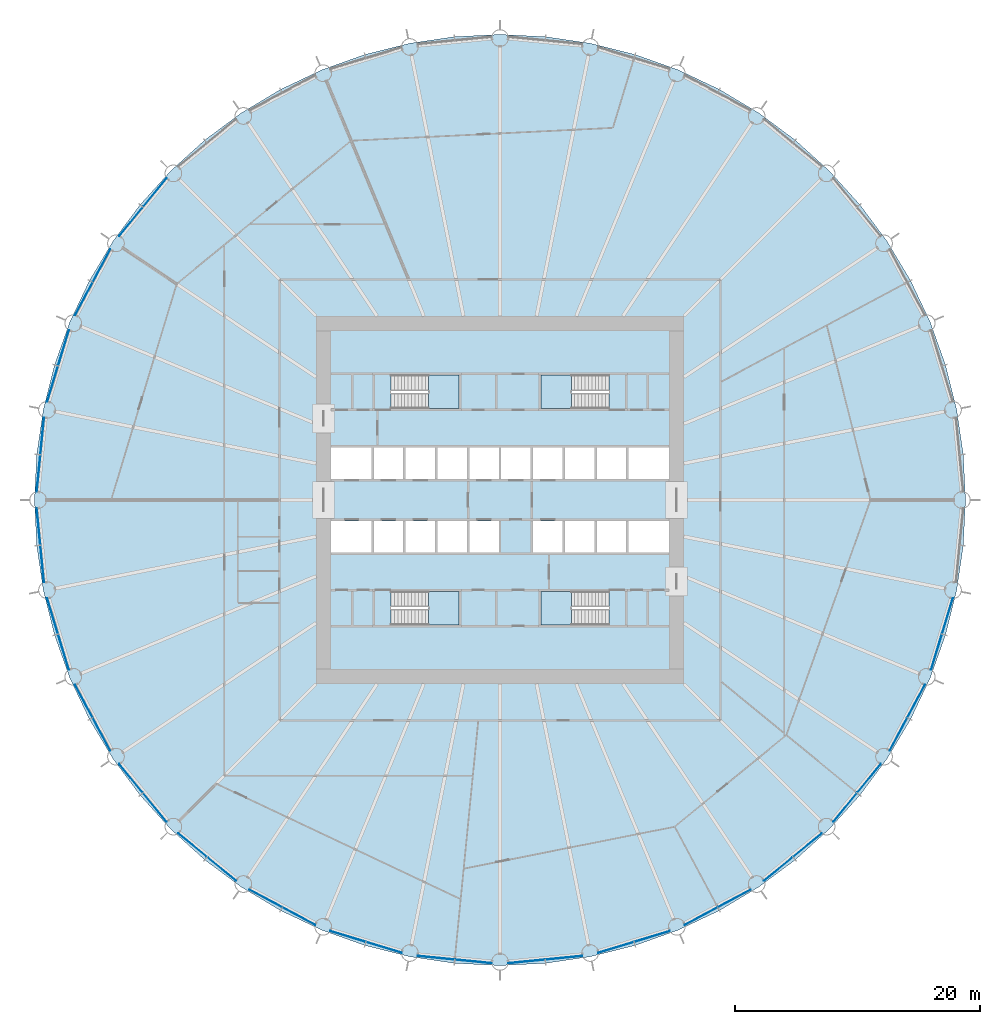
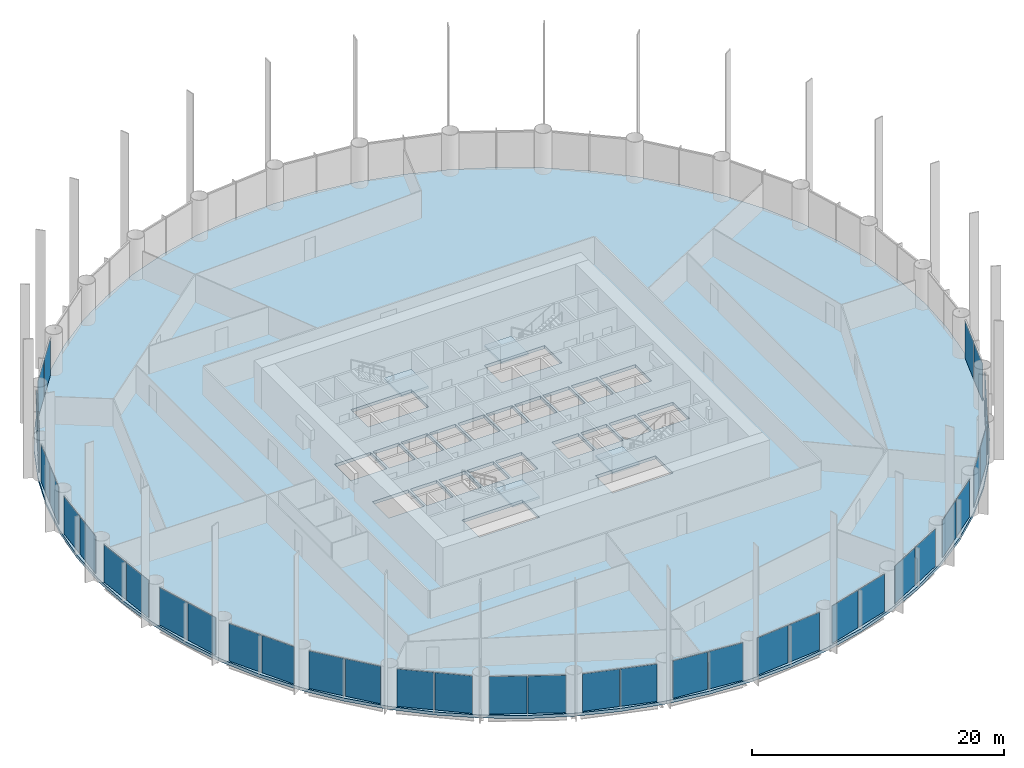
# One storey, part 7 of 14: 38 plates, 5 slabs, 23 elements without a shape of their own.
"""IFC4 building model written with IfcOpenShell, lengths in metres."""

from ifc_helpers import new_model, si_unit, direction, frame, origin, origin_2d, place, context, subcontext, project, spatial, polyline, rectangle, outline, extrude, material, layer, layer_set, type_object, element, aggregate, save


model = new_model("IFC4")

# Units and contexts
model_context = context("Model", 3, precision=1e-05, world=origin(), true_north=direction((0.0, 1.0)))
body_context = subcontext(model_context, "Body", "Model", "MODEL_VIEW")
ifc_project = project(units=[si_unit("LENGTHUNIT", "METRE"), si_unit("AREAUNIT", "SQUARE_METRE"), si_unit("VOLUMEUNIT", "CUBIC_METRE"), si_unit("PLANEANGLEUNIT", "RADIAN"), si_unit("MASSUNIT", "GRAM", prefix="KILO")], contexts=[model_context])

# Site, building, storey
site_placement = place(None, origin())
site = spatial("IfcSite", under=ifc_project, at=site_placement, CompositionType="ELEMENT")
building_placement = place(site_placement, origin())
building = spatial("IfcBuilding", under=site, at=building_placement, Name="Corvane Civic Tower", CompositionType="ELEMENT")
storey_placement = place(building_placement, frame((0.0, 0.0, 77.0)))
storey = spatial("IfcBuildingStorey", under=building, at=storey_placement, Name="L17", CompositionType="ELEMENT", Elevation=77.0)

# Slab
ifc_material_1 = material(Name="Concrete C40/50", Category="concrete")
ifc_layer_1 = layer(ifc_material_1, 0.300048828125)
ifc_layer_set_1 = layer_set([ifc_layer_1], Name="Concrete C40/50")
slab_type_1 = type_object("IfcSlabType", Name="FLOOR SLAB 300", PredefinedType="FLOOR", material=ifc_layer_set_1)
slab_1_placement = place(storey_placement, frame((0.0, 0.0, -0.300048828125)))
element("IfcSlab", 1, at=slab_1_placement, inside=storey, type_object=slab_type_1, Name="SLB-L17", PredefinedType="FLOOR", context=body_context, shape_type="SweptSolid", body=[
    extrude(outline(polyline([(0.0, 38.0), (-3.724609375, 37.817138671875), (-7.413330078125, 37.269775390625), (-11.03076171875, 36.36376953125), (-14.5419921875, 35.107421875), (-17.9130859375, 33.512939453125), (-21.111572265625, 31.595947265625), (-24.10693359375, 29.37451171875), (-26.8701171875, 26.8701171875), (-29.37451171875, 24.10693359375), (-31.595947265625, 21.111572265625), (-33.512939453125, 17.9130859375), (-35.107421875, 14.5419921875), (-36.36376953125, 11.03076171875), (-37.269775390625, 7.413330078125), (-37.817138671875, 3.724609375), (-38.0, 0.0), (-37.817138671875, -3.724609375), (-37.269775390625, -7.413330078125), (-36.36376953125, -11.03076171875), (-35.107421875, -14.5419921875), (-33.512939453125, -17.9130859375), (-31.595947265625, -21.111572265625), (-29.37451171875, -24.10693359375), (-26.8701171875, -26.8701171875), (-24.10693359375, -29.37451171875), (-21.111572265625, -31.595947265625), (-17.9130859375, -33.512939453125), (-14.5419921875, -35.107421875), (-11.03076171875, -36.36376953125), (-7.413330078125, -37.269775390625), (-3.724609375, -37.817138671875), (0.0, -38.0), (3.724609375, -37.817138671875), (7.413330078125, -37.269775390625), (11.03076171875, -36.36376953125), (14.5419921875, -35.107421875), (17.9130859375, -33.512939453125), (21.111572265625, -31.595947265625), (24.10693359375, -29.37451171875), (26.8701171875, -26.8701171875), (29.37451171875, -24.10693359375), (31.595947265625, -21.111572265625), (33.512939453125, -17.9130859375), (35.107421875, -14.5419921875), (36.36376953125, -11.03076171875), (37.269775390625, -7.413330078125), (37.817138671875, -3.724609375), (38.0, 0.0), (37.817138671875, 3.724609375), (37.269775390625, 7.413330078125), (36.36376953125, 11.03076171875), (35.107421875, 14.5419921875), (33.512939453125, 17.9130859375), (31.595947265625, 21.111572265625), (29.37451171875, 24.10693359375), (26.8701171875, 26.8701171875), (24.10693359375, 29.37451171875), (21.111572265625, 31.595947265625), (17.9130859375, 33.512939453125), (14.5419921875, 35.107421875), (11.03076171875, 36.36376953125), (7.413330078125, 37.269775390625), (3.724609375, 37.817138671875), (0.0, 38.0)]), holes=[polyline([(-13.800048828125, 4.300048828125), (-10.5, 4.300048828125), (-10.5, 1.699951171875), (-13.800048828125, 1.699951171875), (-13.800048828125, 4.300048828125)]), polyline([(-7.89990234375, 1.699951171875), (-10.300048828125, 1.699951171875), (-10.300048828125, 4.300048828125), (-7.89990234375, 4.300048828125), (-7.89990234375, 1.699951171875)]), polyline([(-7.699951171875, 4.300048828125), (-5.300048828125, 4.300048828125), (-5.300048828125, 1.699951171875), (-7.699951171875, 1.699951171875), (-7.699951171875, 4.300048828125)]), polyline([(-2.699951171875, 1.699951171875), (-5.10009765625, 1.699951171875), (-5.10009765625, 4.300048828125), (-2.699951171875, 4.300048828125), (-2.699951171875, 1.699951171875)]), polyline([(-2.5, 4.300048828125), (-0.10009765625, 4.300048828125), (-0.10009765625, 1.699951171875), (-2.5, 1.699951171875), (-2.5, 4.300048828125)]), polyline([(0.10009765625, 4.300048828125), (2.5, 4.300048828125), (2.5, 1.699951171875), (0.10009765625, 1.699951171875), (0.10009765625, 4.300048828125)]), polyline([(2.699951171875, 4.300048828125), (5.10009765625, 4.300048828125), (5.10009765625, 1.699951171875), (2.699951171875, 1.699951171875), (2.699951171875, 4.300048828125)]), polyline([(5.300048828125, 4.300048828125), (7.699951171875, 4.300048828125), (7.699951171875, 1.699951171875), (5.300048828125, 1.699951171875), (5.300048828125, 4.300048828125)]), polyline([(7.89990234375, 4.300048828125), (10.300048828125, 4.300048828125), (10.300048828125, 1.699951171875), (7.89990234375, 1.699951171875), (7.89990234375, 4.300048828125)]), polyline([(13.800048828125, 1.699951171875), (10.5, 1.699951171875), (10.5, 4.300048828125), (13.800048828125, 4.300048828125), (13.800048828125, 1.699951171875)]), polyline([(-13.800048828125, -1.699951171875), (-10.5, -1.699951171875), (-10.5, -4.300048828125), (-13.800048828125, -4.300048828125), (-13.800048828125, -1.699951171875)]), polyline([(-10.300048828125, -4.300048828125), (-10.300048828125, -1.699951171875), (-7.89990234375, -1.699951171875), (-7.89990234375, -4.300048828125), (-10.300048828125, -4.300048828125)]), polyline([(-7.699951171875, -1.699951171875), (-5.300048828125, -1.699951171875), (-5.300048828125, -4.300048828125), (-7.699951171875, -4.300048828125), (-7.699951171875, -1.699951171875)]), polyline([(-5.10009765625, -1.699951171875), (-2.699951171875, -1.699951171875), (-2.699951171875, -4.300048828125), (-5.10009765625, -4.300048828125), (-5.10009765625, -1.699951171875)]), polyline([(-2.5, -1.699951171875), (-0.10009765625, -1.699951171875), (-0.10009765625, -4.300048828125), (-2.5, -4.300048828125), (-2.5, -1.699951171875)]), polyline([(2.699951171875, -1.699951171875), (5.10009765625, -1.699951171875), (5.10009765625, -4.300048828125), (2.699951171875, -4.300048828125), (2.699951171875, -1.699951171875)]), polyline([(5.300048828125, -4.300048828125), (5.300048828125, -1.699951171875), (7.699951171875, -1.699951171875), (7.699951171875, -4.300048828125), (5.300048828125, -4.300048828125)]), polyline([(7.89990234375, -4.300048828125), (7.89990234375, -1.699951171875), (10.300048828125, -1.699951171875), (10.300048828125, -4.300048828125), (7.89990234375, -4.300048828125)]), polyline([(13.800048828125, -4.300048828125), (10.5, -4.300048828125), (10.5, -1.699951171875), (13.800048828125, -1.699951171875), (13.800048828125, -4.300048828125)]), polyline([(8.889892578125, 10.199951171875), (8.889892578125, 7.449951171875), (3.35009765625, 7.449951171875), (3.35009765625, 10.199951171875), (8.889892578125, 10.199951171875)]), polyline([(-8.889892578125, 7.449951171875), (-8.889892578125, 10.199951171875), (-3.35009765625, 10.199951171875), (-3.35009765625, 7.449951171875), (-8.889892578125, 7.449951171875)]), polyline([(8.889892578125, -7.449951171875), (8.889892578125, -10.199951171875), (3.35009765625, -10.199951171875), (3.35009765625, -7.449951171875), (8.889892578125, -7.449951171875)]), polyline([(-8.889892578125, -10.199951171875), (-8.889892578125, -7.449951171875), (-3.35009765625, -7.449951171875), (-3.35009765625, -10.199951171875), (-8.889892578125, -10.199951171875)])]), origin(), (0.0, 0.0, 1.0), 0.300048828125),
])

# Stair, slab
ifc_material_2 = material(Name="Concrete C40/50", Category="concrete")
stair_type = type_object("IfcStairType", Name="ST-STAIR-HALFTURN", PredefinedType="HALF_TURN_STAIR", material=ifc_material_2)
stair_1_placement = place(storey_placement, origin())
stair_1 = element("IfcStair", 2, at=stair_1_placement, inside=storey, type_object=stair_type, Name="L17 Exit stair ST1", PredefinedType="HALF_TURN_STAIR")
ifc_material_3 = material(Name="Concrete C40/50", Category="concrete")
ifc_layer_2 = layer(ifc_material_3, 0.199951171875)
ifc_layer_set_2 = layer_set([ifc_layer_2], Name="Concrete C40/50")
slab_type_2 = type_object("IfcSlabType", Name="ST-LANDING-RC", PredefinedType="LANDING", material=ifc_layer_set_2)
slab_2_placement = place(storey_placement, frame((0.0, 0.0, 1.800048828125)))
slab_2 = element("IfcSlab", 3, at=slab_2_placement, type_object=slab_type_2, Name="ST1 landing 1", PredefinedType="LANDING", context=body_context, shape_type="SweptSolid", body=[
    extrude(outline(polyline([(5.820068359375, 10.199951171875), (3.35009765625, 10.199951171875), (3.35009765625, 7.449951171875), (5.820068359375, 7.449951171875), (5.820068359375, 10.199951171875)])), origin(), (0.0, 0.0, 1.0), 0.199951171875),
])
aggregate(stair_1, [slab_2])

stair_2_placement = place(storey_placement, origin())
stair_2 = element("IfcStair", 4, at=stair_2_placement, inside=storey, type_object=stair_type, Name="L17 Exit stair ST2", PredefinedType="HALF_TURN_STAIR")
slab_3_placement = place(storey_placement, frame((0.0, 0.0, 1.800048828125)))
slab_3 = element("IfcSlab", 5, at=slab_3_placement, type_object=slab_type_2, Name="ST2 landing 1", PredefinedType="LANDING", context=body_context, shape_type="SweptSolid", body=[
    extrude(outline(polyline([(5.820068359375, -7.449951171875), (3.35009765625, -7.449951171875), (3.35009765625, -10.199951171875), (5.820068359375, -10.199951171875), (5.820068359375, -7.449951171875)])), origin(), (0.0, 0.0, 1.0), 0.199951171875),
])
aggregate(stair_2, [slab_3])

stair_3_placement = place(storey_placement, origin())
stair_3 = element("IfcStair", 6, at=stair_3_placement, inside=storey, type_object=stair_type, Name="L17 Exit stair ST3", PredefinedType="HALF_TURN_STAIR")
slab_4_placement = place(storey_placement, frame((0.0, 0.0, 1.800048828125)))
slab_4 = element("IfcSlab", 7, at=slab_4_placement, type_object=slab_type_2, Name="ST3 landing 1", PredefinedType="LANDING", context=body_context, shape_type="SweptSolid", body=[
    extrude(outline(polyline([(-5.820068359375, -10.199951171875), (-3.35009765625, -10.199951171875), (-3.35009765625, -7.449951171875), (-5.820068359375, -7.449951171875), (-5.820068359375, -10.199951171875)])), origin(), (0.0, 0.0, 1.0), 0.199951171875),
])
aggregate(stair_3, [slab_4])

stair_4_placement = place(storey_placement, origin())
stair_4 = element("IfcStair", 8, at=stair_4_placement, inside=storey, type_object=stair_type, Name="L17 Exit stair ST4", PredefinedType="HALF_TURN_STAIR")
slab_5_placement = place(storey_placement, frame((0.0, 0.0, 1.800048828125)))
slab_5 = element("IfcSlab", 9, at=slab_5_placement, type_object=slab_type_2, Name="ST4 landing 1", PredefinedType="LANDING", context=body_context, shape_type="SweptSolid", body=[
    extrude(outline(polyline([(-5.820068359375, 7.449951171875), (-3.35009765625, 7.449951171875), (-3.35009765625, 10.199951171875), (-5.820068359375, 10.199951171875), (-5.820068359375, 7.449951171875)])), origin(), (0.0, 0.0, 1.0), 0.199951171875),
])
aggregate(stair_4, [slab_5])

# Curtain wall, plates
ifc_material_4 = material(Name="Anodised aluminium bronze", Category="aluminium")
curtain_wall_type = type_object("IfcCurtainWallType", Name="TOWER CW-T1 STICK CURTAIN WALL", PredefinedType="NOTDEFINED", material=ifc_material_4)
curtain_wall_1_placement = place(storey_placement, origin())
curtain_wall_1 = element("IfcCurtainWall", 10, at=curtain_wall_1_placement, inside=storey, type_object=curtain_wall_type, Name="Curtain wall CW-T1 L17 bay 10", PredefinedType="NOTDEFINED")
ifc_material_5 = material(Name="Tinted glass", Category="glass")
ifc_layer_3 = layer(ifc_material_5, 0.035888671875)
ifc_layer_set_3 = layer_set([ifc_layer_3], Name="Tinted glass")
plate_type = type_object("IfcPlateType", Name="TOWER CW-T1 PANEL IGU36", PredefinedType="CURTAIN_PANEL", material=ifc_layer_set_3)
plate_1_placement = place(storey_placement, frame((36.522705078125, -9.46533203125, 0.0), z_axis=(0.0, 0.0, 1.0), x_axis=(-0.290278397654, -0.956942240606, 0.0)))
plate_1 = element("IfcPlate", 11, at=plate_1_placement, type_object=plate_type, Name="Glass panel CW-T1 L17 10.1", PredefinedType="CURTAIN_PANEL", context=body_context, shape_type="SweptSolid", body=[
    extrude(rectangle(XDim=3.008544921875, YDim=0.035888671875, at=origin_2d()), origin(), (0.0, 0.0, 1.0), 3.6298828125),
])
plate_2_placement = place(storey_placement, frame((35.6259765625, -12.4208984375, 0.0), z_axis=(0.0, 0.0, 1.0), x_axis=(-0.290278397654, -0.956942240606, 0.0)))
plate_2 = element("IfcPlate", 12, at=plate_2_placement, type_object=plate_type, Name="Glass panel CW-T1 L17 10.2", PredefinedType="CURTAIN_PANEL", context=body_context, shape_type="SweptSolid", body=[
    extrude(rectangle(XDim=3.008544921875, YDim=0.035888671875, at=origin_2d()), origin(), (0.0, 0.0, 1.0), 3.6298828125),
])
aggregate(curtain_wall_1, [plate_1, plate_2])

curtain_wall_2_placement = place(storey_placement, origin())
curtain_wall_2 = element("IfcCurtainWall", 13, at=curtain_wall_2_placement, inside=storey, type_object=curtain_wall_type, Name="Curtain wall CW-T1 L17 bay 11", PredefinedType="NOTDEFINED")
plate_3_placement = place(storey_placement, frame((33.974365234375, -16.40869140625, 0.0), z_axis=(0.0, 0.0, 1.0), x_axis=(-0.471403725359, -0.881917528864, 0.0)))
plate_3 = element("IfcPlate", 14, at=plate_3_placement, type_object=plate_type, Name="Glass panel CW-T1 L17 11.1", PredefinedType="CURTAIN_PANEL", context=body_context, shape_type="SweptSolid", body=[
    extrude(rectangle(XDim=3.008544921875, YDim=0.035888671875, at=origin_2d()), origin(), (0.0, 0.0, 1.0), 3.6298828125),
])
plate_4_placement = place(storey_placement, frame((32.518310546875, -19.132568359375, 0.0), z_axis=(0.0, 0.0, 1.0), x_axis=(-0.471403725359, -0.881917528864, 0.0)))
plate_4 = element("IfcPlate", 15, at=plate_4_placement, type_object=plate_type, Name="Glass panel CW-T1 L17 11.2", PredefinedType="CURTAIN_PANEL", context=body_context, shape_type="SweptSolid", body=[
    extrude(rectangle(XDim=3.008544921875, YDim=0.035888671875, at=origin_2d()), origin(), (0.0, 0.0, 1.0), 3.6298828125),
])
aggregate(curtain_wall_2, [plate_3, plate_4])

curtain_wall_3_placement = place(storey_placement, origin())
curtain_wall_3 = element("IfcCurtainWall", 16, at=curtain_wall_3_placement, inside=storey, type_object=curtain_wall_type, Name="Curtain wall CW-T1 L17 bay 12", PredefinedType="NOTDEFINED")
plate_5_placement = place(storey_placement, frame((30.120361328125, -22.721435546875, 0.0), z_axis=(0.0, 0.0, 1.0), x_axis=(-0.634397218569, -0.773007224463, 0.0)))
plate_5 = element("IfcPlate", 17, at=plate_5_placement, type_object=plate_type, Name="Glass panel CW-T1 L17 12.1", PredefinedType="CURTAIN_PANEL", context=body_context, shape_type="SweptSolid", body=[
    extrude(rectangle(XDim=3.008544921875, YDim=0.035888671875, at=origin_2d()), origin(), (0.0, 0.0, 1.0), 3.6298828125),
])
plate_6_placement = place(storey_placement, frame((28.160888671875, -25.10888671875, 0.0), z_axis=(0.0, 0.0, 1.0), x_axis=(-0.634397218569, -0.773007224463, 0.0)))
plate_6 = element("IfcPlate", 18, at=plate_6_placement, type_object=plate_type, Name="Glass panel CW-T1 L17 12.2", PredefinedType="CURTAIN_PANEL", context=body_context, shape_type="SweptSolid", body=[
    extrude(rectangle(XDim=3.008544921875, YDim=0.035888671875, at=origin_2d()), origin(), (0.0, 0.0, 1.0), 3.6298828125),
])
aggregate(curtain_wall_3, [plate_5, plate_6])

curtain_wall_4_placement = place(storey_placement, origin())
curtain_wall_4 = element("IfcCurtainWall", 19, at=curtain_wall_4_placement, inside=storey, type_object=curtain_wall_type, Name="Curtain wall CW-T1 L17 bay 13", PredefinedType="NOTDEFINED")
plate_7_placement = place(storey_placement, frame((25.10888671875, -28.160888671875, 0.0), z_axis=(0.0, 0.0, 1.0), x_axis=(-0.773007224463, -0.634397218569, 0.0)))
plate_7 = element("IfcPlate", 20, at=plate_7_placement, type_object=plate_type, Name="Glass panel CW-T1 L17 13.1", PredefinedType="CURTAIN_PANEL", context=body_context, shape_type="SweptSolid", body=[
    extrude(rectangle(XDim=3.008544921875, YDim=0.035888671875, at=origin_2d()), origin(), (0.0, 0.0, 1.0), 3.6298828125),
])
plate_8_placement = place(storey_placement, frame((22.721435546875, -30.120361328125, 0.0), z_axis=(0.0, 0.0, 1.0), x_axis=(-0.773007224463, -0.634397218569, 0.0)))
plate_8 = element("IfcPlate", 21, at=plate_8_placement, type_object=plate_type, Name="Glass panel CW-T1 L17 13.2", PredefinedType="CURTAIN_PANEL", context=body_context, shape_type="SweptSolid", body=[
    extrude(rectangle(XDim=3.008544921875, YDim=0.035888671875, at=origin_2d()), origin(), (0.0, 0.0, 1.0), 3.6298828125),
])
aggregate(curtain_wall_4, [plate_7, plate_8])

curtain_wall_5_placement = place(storey_placement, origin())
curtain_wall_5 = element("IfcCurtainWall", 22, at=curtain_wall_5_placement, inside=storey, type_object=curtain_wall_type, Name="Curtain wall CW-T1 L17 bay 14", PredefinedType="NOTDEFINED")
plate_9_placement = place(storey_placement, frame((19.132568359375, -32.518310546875, 0.0), z_axis=(0.0, 0.0, 1.0), x_axis=(-0.881917528864, -0.471403725359, 0.0)))
plate_9 = element("IfcPlate", 23, at=plate_9_placement, type_object=plate_type, Name="Glass panel CW-T1 L17 14.1", PredefinedType="CURTAIN_PANEL", context=body_context, shape_type="SweptSolid", body=[
    extrude(rectangle(XDim=3.008544921875, YDim=0.035888671875, at=origin_2d()), origin(), (0.0, 0.0, 1.0), 3.6298828125),
])
plate_10_placement = place(storey_placement, frame((16.40869140625, -33.974365234375, 0.0), z_axis=(0.0, 0.0, 1.0), x_axis=(-0.881917528864, -0.471403725359, 0.0)))
plate_10 = element("IfcPlate", 24, at=plate_10_placement, type_object=plate_type, Name="Glass panel CW-T1 L17 14.2", PredefinedType="CURTAIN_PANEL", context=body_context, shape_type="SweptSolid", body=[
    extrude(rectangle(XDim=3.008544921875, YDim=0.035888671875, at=origin_2d()), origin(), (0.0, 0.0, 1.0), 3.6298828125),
])
aggregate(curtain_wall_5, [plate_9, plate_10])

curtain_wall_6_placement = place(storey_placement, origin())
curtain_wall_6 = element("IfcCurtainWall", 25, at=curtain_wall_6_placement, inside=storey, type_object=curtain_wall_type, Name="Curtain wall CW-T1 L17 bay 15", PredefinedType="NOTDEFINED")
plate_11_placement = place(storey_placement, frame((12.4208984375, -35.6259765625, 0.0), z_axis=(0.0, 0.0, 1.0), x_axis=(-0.956942240606, -0.290278397654, 0.0)))
plate_11 = element("IfcPlate", 26, at=plate_11_placement, type_object=plate_type, Name="Glass panel CW-T1 L17 15.1", PredefinedType="CURTAIN_PANEL", context=body_context, shape_type="SweptSolid", body=[
    extrude(rectangle(XDim=3.008544921875, YDim=0.035888671875, at=origin_2d()), origin(), (0.0, 0.0, 1.0), 3.6298828125),
])
plate_12_placement = place(storey_placement, frame((9.46533203125, -36.522705078125, 0.0), z_axis=(0.0, 0.0, 1.0), x_axis=(-0.956942240606, -0.290278397654, 0.0)))
plate_12 = element("IfcPlate", 27, at=plate_12_placement, type_object=plate_type, Name="Glass panel CW-T1 L17 15.2", PredefinedType="CURTAIN_PANEL", context=body_context, shape_type="SweptSolid", body=[
    extrude(rectangle(XDim=3.008544921875, YDim=0.035888671875, at=origin_2d()), origin(), (0.0, 0.0, 1.0), 3.6298828125),
])
aggregate(curtain_wall_6, [plate_11, plate_12])

curtain_wall_7_placement = place(storey_placement, origin())
curtain_wall_7 = element("IfcCurtainWall", 28, at=curtain_wall_7_placement, inside=storey, type_object=curtain_wall_type, Name="Curtain wall CW-T1 L17 bay 16", PredefinedType="NOTDEFINED")
plate_13_placement = place(storey_placement, frame((5.23193359375, -37.36474609375, 0.0), z_axis=(0.0, 0.0, 1.0), x_axis=(-0.995185800248, -0.098006239521, 0.0)))
plate_13 = element("IfcPlate", 29, at=plate_13_placement, type_object=plate_type, Name="Glass panel CW-T1 L17 16.1", PredefinedType="CURTAIN_PANEL", context=body_context, shape_type="SweptSolid", body=[
    extrude(rectangle(XDim=3.008544921875, YDim=0.035888671875, at=origin_2d()), origin(), (0.0, 0.0, 1.0), 3.6298828125),
])
plate_14_placement = place(storey_placement, frame((2.158203125, -37.667236328125, 0.0), z_axis=(0.0, 0.0, 1.0), x_axis=(-0.995185800248, -0.098006239521, 0.0)))
plate_14 = element("IfcPlate", 30, at=plate_14_placement, type_object=plate_type, Name="Glass panel CW-T1 L17 16.2", PredefinedType="CURTAIN_PANEL", context=body_context, shape_type="SweptSolid", body=[
    extrude(rectangle(XDim=3.008544921875, YDim=0.035888671875, at=origin_2d()), origin(), (0.0, 0.0, 1.0), 3.6298828125),
])
aggregate(curtain_wall_7, [plate_13, plate_14])

curtain_wall_8_placement = place(storey_placement, origin())
curtain_wall_8 = element("IfcCurtainWall", 31, at=curtain_wall_8_placement, inside=storey, type_object=curtain_wall_type, Name="Curtain wall CW-T1 L17 bay 17", PredefinedType="NOTDEFINED")
plate_15_placement = place(storey_placement, frame((-2.158203125, -37.667236328125, 0.0), z_axis=(0.0, 0.0, 1.0), x_axis=(-0.995185800248, 0.098006239521, 0.0)))
plate_15 = element("IfcPlate", 32, at=plate_15_placement, type_object=plate_type, Name="Glass panel CW-T1 L17 17.1", PredefinedType="CURTAIN_PANEL", context=body_context, shape_type="SweptSolid", body=[
    extrude(rectangle(XDim=3.008544921875, YDim=0.035888671875, at=origin_2d()), origin(), (0.0, 0.0, 1.0), 3.6298828125),
])
plate_16_placement = place(storey_placement, frame((-5.23193359375, -37.36474609375, 0.0), z_axis=(0.0, 0.0, 1.0), x_axis=(-0.995185800248, 0.098006239521, 0.0)))
plate_16 = element("IfcPlate", 33, at=plate_16_placement, type_object=plate_type, Name="Glass panel CW-T1 L17 17.2", PredefinedType="CURTAIN_PANEL", context=body_context, shape_type="SweptSolid", body=[
    extrude(rectangle(XDim=3.008544921875, YDim=0.035888671875, at=origin_2d()), origin(), (0.0, 0.0, 1.0), 3.6298828125),
])
aggregate(curtain_wall_8, [plate_15, plate_16])

curtain_wall_9_placement = place(storey_placement, origin())
curtain_wall_9 = element("IfcCurtainWall", 34, at=curtain_wall_9_placement, inside=storey, type_object=curtain_wall_type, Name="Curtain wall CW-T1 L17 bay 18", PredefinedType="NOTDEFINED")
plate_17_placement = place(storey_placement, frame((-9.46533203125, -36.522705078125, 0.0), z_axis=(0.0, 0.0, 1.0), x_axis=(-0.956942240606, 0.290278397654, 0.0)))
plate_17 = element("IfcPlate", 35, at=plate_17_placement, type_object=plate_type, Name="Glass panel CW-T1 L17 18.1", PredefinedType="CURTAIN_PANEL", context=body_context, shape_type="SweptSolid", body=[
    extrude(rectangle(XDim=3.008544921875, YDim=0.035888671875, at=origin_2d()), origin(), (0.0, 0.0, 1.0), 3.6298828125),
])
plate_18_placement = place(storey_placement, frame((-12.4208984375, -35.6259765625, 0.0), z_axis=(0.0, 0.0, 1.0), x_axis=(-0.956942240606, 0.290278397654, 0.0)))
plate_18 = element("IfcPlate", 36, at=plate_18_placement, type_object=plate_type, Name="Glass panel CW-T1 L17 18.2", PredefinedType="CURTAIN_PANEL", context=body_context, shape_type="SweptSolid", body=[
    extrude(rectangle(XDim=3.008544921875, YDim=0.035888671875, at=origin_2d()), origin(), (0.0, 0.0, 1.0), 3.6298828125),
])
aggregate(curtain_wall_9, [plate_17, plate_18])

curtain_wall_10_placement = place(storey_placement, origin())
curtain_wall_10 = element("IfcCurtainWall", 37, at=curtain_wall_10_placement, inside=storey, type_object=curtain_wall_type, Name="Curtain wall CW-T1 L17 bay 19", PredefinedType="NOTDEFINED")
plate_19_placement = place(storey_placement, frame((-16.40869140625, -33.974365234375, 0.0), z_axis=(0.0, 0.0, 1.0), x_axis=(-0.881917528864, 0.471403725359, 0.0)))
plate_19 = element("IfcPlate", 38, at=plate_19_placement, type_object=plate_type, Name="Glass panel CW-T1 L17 19.1", PredefinedType="CURTAIN_PANEL", context=body_context, shape_type="SweptSolid", body=[
    extrude(rectangle(XDim=3.008544921875, YDim=0.035888671875, at=origin_2d()), origin(), (0.0, 0.0, 1.0), 3.6298828125),
])
plate_20_placement = place(storey_placement, frame((-19.132568359375, -32.518310546875, 0.0), z_axis=(0.0, 0.0, 1.0), x_axis=(-0.881917528864, 0.471403725359, 0.0)))
plate_20 = element("IfcPlate", 39, at=plate_20_placement, type_object=plate_type, Name="Glass panel CW-T1 L17 19.2", PredefinedType="CURTAIN_PANEL", context=body_context, shape_type="SweptSolid", body=[
    extrude(rectangle(XDim=3.008544921875, YDim=0.035888671875, at=origin_2d()), origin(), (0.0, 0.0, 1.0), 3.6298828125),
])
aggregate(curtain_wall_10, [plate_19, plate_20])

curtain_wall_11_placement = place(storey_placement, origin())
curtain_wall_11 = element("IfcCurtainWall", 40, at=curtain_wall_11_placement, inside=storey, type_object=curtain_wall_type, Name="Curtain wall CW-T1 L17 bay 20", PredefinedType="NOTDEFINED")
plate_21_placement = place(storey_placement, frame((-22.721435546875, -30.120361328125, 0.0), z_axis=(0.0, 0.0, 1.0), x_axis=(-0.773007224463, 0.634397218569, 0.0)))
plate_21 = element("IfcPlate", 41, at=plate_21_placement, type_object=plate_type, Name="Glass panel CW-T1 L17 20.1", PredefinedType="CURTAIN_PANEL", context=body_context, shape_type="SweptSolid", body=[
    extrude(rectangle(XDim=3.008544921875, YDim=0.035888671875, at=origin_2d()), origin(), (0.0, 0.0, 1.0), 3.6298828125),
])
plate_22_placement = place(storey_placement, frame((-25.10888671875, -28.160888671875, 0.0), z_axis=(0.0, 0.0, 1.0), x_axis=(-0.773007224463, 0.634397218569, 0.0)))
plate_22 = element("IfcPlate", 42, at=plate_22_placement, type_object=plate_type, Name="Glass panel CW-T1 L17 20.2", PredefinedType="CURTAIN_PANEL", context=body_context, shape_type="SweptSolid", body=[
    extrude(rectangle(XDim=3.008544921875, YDim=0.035888671875, at=origin_2d()), origin(), (0.0, 0.0, 1.0), 3.6298828125),
])
aggregate(curtain_wall_11, [plate_21, plate_22])

curtain_wall_12_placement = place(storey_placement, origin())
curtain_wall_12 = element("IfcCurtainWall", 43, at=curtain_wall_12_placement, inside=storey, type_object=curtain_wall_type, Name="Curtain wall CW-T1 L17 bay 21", PredefinedType="NOTDEFINED")
plate_23_placement = place(storey_placement, frame((-28.160888671875, -25.10888671875, 0.0), z_axis=(0.0, 0.0, 1.0), x_axis=(-0.634397218569, 0.773007224463, 0.0)))
plate_23 = element("IfcPlate", 44, at=plate_23_placement, type_object=plate_type, Name="Glass panel CW-T1 L17 21.1", PredefinedType="CURTAIN_PANEL", context=body_context, shape_type="SweptSolid", body=[
    extrude(rectangle(XDim=3.008544921875, YDim=0.035888671875, at=origin_2d()), origin(), (0.0, 0.0, 1.0), 3.6298828125),
])
plate_24_placement = place(storey_placement, frame((-30.120361328125, -22.721435546875, 0.0), z_axis=(0.0, 0.0, 1.0), x_axis=(-0.634397218569, 0.773007224463, 0.0)))
plate_24 = element("IfcPlate", 45, at=plate_24_placement, type_object=plate_type, Name="Glass panel CW-T1 L17 21.2", PredefinedType="CURTAIN_PANEL", context=body_context, shape_type="SweptSolid", body=[
    extrude(rectangle(XDim=3.008544921875, YDim=0.035888671875, at=origin_2d()), origin(), (0.0, 0.0, 1.0), 3.6298828125),
])
aggregate(curtain_wall_12, [plate_23, plate_24])

curtain_wall_13_placement = place(storey_placement, origin())
curtain_wall_13 = element("IfcCurtainWall", 46, at=curtain_wall_13_placement, inside=storey, type_object=curtain_wall_type, Name="Curtain wall CW-T1 L17 bay 22", PredefinedType="NOTDEFINED")
plate_25_placement = place(storey_placement, frame((-32.518310546875, -19.132568359375, 0.0), z_axis=(0.0, 0.0, 1.0), x_axis=(-0.471403725359, 0.881917528864, 0.0)))
plate_25 = element("IfcPlate", 47, at=plate_25_placement, type_object=plate_type, Name="Glass panel CW-T1 L17 22.1", PredefinedType="CURTAIN_PANEL", context=body_context, shape_type="SweptSolid", body=[
    extrude(rectangle(XDim=3.008544921875, YDim=0.035888671875, at=origin_2d()), origin(), (0.0, 0.0, 1.0), 3.6298828125),
])
plate_26_placement = place(storey_placement, frame((-33.974365234375, -16.40869140625, 0.0), z_axis=(0.0, 0.0, 1.0), x_axis=(-0.471403725359, 0.881917528864, 0.0)))
plate_26 = element("IfcPlate", 48, at=plate_26_placement, type_object=plate_type, Name="Glass panel CW-T1 L17 22.2", PredefinedType="CURTAIN_PANEL", context=body_context, shape_type="SweptSolid", body=[
    extrude(rectangle(XDim=3.008544921875, YDim=0.035888671875, at=origin_2d()), origin(), (0.0, 0.0, 1.0), 3.6298828125),
])
aggregate(curtain_wall_13, [plate_25, plate_26])

curtain_wall_14_placement = place(storey_placement, origin())
curtain_wall_14 = element("IfcCurtainWall", 49, at=curtain_wall_14_placement, inside=storey, type_object=curtain_wall_type, Name="Curtain wall CW-T1 L17 bay 23", PredefinedType="NOTDEFINED")
plate_27_placement = place(storey_placement, frame((-35.6259765625, -12.4208984375, 0.0), z_axis=(0.0, 0.0, 1.0), x_axis=(-0.290278397654, 0.956942240606, 0.0)))
plate_27 = element("IfcPlate", 50, at=plate_27_placement, type_object=plate_type, Name="Glass panel CW-T1 L17 23.1", PredefinedType="CURTAIN_PANEL", context=body_context, shape_type="SweptSolid", body=[
    extrude(rectangle(XDim=3.008544921875, YDim=0.035888671875, at=origin_2d()), origin(), (0.0, 0.0, 1.0), 3.6298828125),
])
plate_28_placement = place(storey_placement, frame((-36.522705078125, -9.46533203125, 0.0), z_axis=(0.0, 0.0, 1.0), x_axis=(-0.290278397654, 0.956942240606, 0.0)))
plate_28 = element("IfcPlate", 51, at=plate_28_placement, type_object=plate_type, Name="Glass panel CW-T1 L17 23.2", PredefinedType="CURTAIN_PANEL", context=body_context, shape_type="SweptSolid", body=[
    extrude(rectangle(XDim=3.008544921875, YDim=0.035888671875, at=origin_2d()), origin(), (0.0, 0.0, 1.0), 3.6298828125),
])
aggregate(curtain_wall_14, [plate_27, plate_28])

curtain_wall_15_placement = place(storey_placement, origin())
curtain_wall_15 = element("IfcCurtainWall", 52, at=curtain_wall_15_placement, inside=storey, type_object=curtain_wall_type, Name="Curtain wall CW-T1 L17 bay 24", PredefinedType="NOTDEFINED")
plate_29_placement = place(storey_placement, frame((-37.36474609375, -5.23193359375, 0.0), z_axis=(0.0, 0.0, 1.0), x_axis=(-0.098006239521, 0.995185800248, 0.0)))
plate_29 = element("IfcPlate", 53, at=plate_29_placement, type_object=plate_type, Name="Glass panel CW-T1 L17 24.1", PredefinedType="CURTAIN_PANEL", context=body_context, shape_type="SweptSolid", body=[
    extrude(rectangle(XDim=3.008544921875, YDim=0.035888671875, at=origin_2d()), origin(), (0.0, 0.0, 1.0), 3.6298828125),
])
plate_30_placement = place(storey_placement, frame((-37.667236328125, -2.158203125, 0.0), z_axis=(0.0, 0.0, 1.0), x_axis=(-0.098006239521, 0.995185800248, 0.0)))
plate_30 = element("IfcPlate", 54, at=plate_30_placement, type_object=plate_type, Name="Glass panel CW-T1 L17 24.2", PredefinedType="CURTAIN_PANEL", context=body_context, shape_type="SweptSolid", body=[
    extrude(rectangle(XDim=3.008544921875, YDim=0.035888671875, at=origin_2d()), origin(), (0.0, 0.0, 1.0), 3.6298828125),
])
aggregate(curtain_wall_15, [plate_29, plate_30])

curtain_wall_16_placement = place(storey_placement, origin())
curtain_wall_16 = element("IfcCurtainWall", 55, at=curtain_wall_16_placement, inside=storey, type_object=curtain_wall_type, Name="Curtain wall CW-T1 L17 bay 25", PredefinedType="NOTDEFINED")
plate_31_placement = place(storey_placement, frame((-37.667236328125, 2.158203125, 0.0), z_axis=(0.0, 0.0, 1.0), x_axis=(0.098006239521, 0.995185800248, 0.0)))
plate_31 = element("IfcPlate", 56, at=plate_31_placement, type_object=plate_type, Name="Glass panel CW-T1 L17 25.1", PredefinedType="CURTAIN_PANEL", context=body_context, shape_type="SweptSolid", body=[
    extrude(rectangle(XDim=3.008544921875, YDim=0.035888671875, at=origin_2d()), origin(), (0.0, 0.0, 1.0), 3.6298828125),
])
plate_32_placement = place(storey_placement, frame((-37.36474609375, 5.23193359375, 0.0), z_axis=(0.0, 0.0, 1.0), x_axis=(0.098006239521, 0.995185800248, 0.0)))
plate_32 = element("IfcPlate", 57, at=plate_32_placement, type_object=plate_type, Name="Glass panel CW-T1 L17 25.2", PredefinedType="CURTAIN_PANEL", context=body_context, shape_type="SweptSolid", body=[
    extrude(rectangle(XDim=3.008544921875, YDim=0.035888671875, at=origin_2d()), origin(), (0.0, 0.0, 1.0), 3.6298828125),
])
aggregate(curtain_wall_16, [plate_31, plate_32])

curtain_wall_17_placement = place(storey_placement, origin())
curtain_wall_17 = element("IfcCurtainWall", 58, at=curtain_wall_17_placement, inside=storey, type_object=curtain_wall_type, Name="Curtain wall CW-T1 L17 bay 26", PredefinedType="NOTDEFINED")
plate_33_placement = place(storey_placement, frame((-36.522705078125, 9.46533203125, 0.0), z_axis=(0.0, 0.0, 1.0), x_axis=(0.290278397654, 0.956942240606, 0.0)))
plate_33 = element("IfcPlate", 59, at=plate_33_placement, type_object=plate_type, Name="Glass panel CW-T1 L17 26.1", PredefinedType="CURTAIN_PANEL", context=body_context, shape_type="SweptSolid", body=[
    extrude(rectangle(XDim=3.008544921875, YDim=0.035888671875, at=origin_2d()), origin(), (0.0, 0.0, 1.0), 3.6298828125),
])
plate_34_placement = place(storey_placement, frame((-35.6259765625, 12.4208984375, 0.0), z_axis=(0.0, 0.0, 1.0), x_axis=(0.290278397654, 0.956942240606, 0.0)))
plate_34 = element("IfcPlate", 60, at=plate_34_placement, type_object=plate_type, Name="Glass panel CW-T1 L17 26.2", PredefinedType="CURTAIN_PANEL", context=body_context, shape_type="SweptSolid", body=[
    extrude(rectangle(XDim=3.008544921875, YDim=0.035888671875, at=origin_2d()), origin(), (0.0, 0.0, 1.0), 3.6298828125),
])
aggregate(curtain_wall_17, [plate_33, plate_34])

curtain_wall_18_placement = place(storey_placement, origin())
curtain_wall_18 = element("IfcCurtainWall", 61, at=curtain_wall_18_placement, inside=storey, type_object=curtain_wall_type, Name="Curtain wall CW-T1 L17 bay 27", PredefinedType="NOTDEFINED")
plate_35_placement = place(storey_placement, frame((-33.974365234375, 16.40869140625, 0.0), z_axis=(0.0, 0.0, 1.0), x_axis=(0.471403725359, 0.881917528864, 0.0)))
plate_35 = element("IfcPlate", 62, at=plate_35_placement, type_object=plate_type, Name="Glass panel CW-T1 L17 27.1", PredefinedType="CURTAIN_PANEL", context=body_context, shape_type="SweptSolid", body=[
    extrude(rectangle(XDim=3.008544921875, YDim=0.035888671875, at=origin_2d()), origin(), (0.0, 0.0, 1.0), 3.6298828125),
])
plate_36_placement = place(storey_placement, frame((-32.518310546875, 19.132568359375, 0.0), z_axis=(0.0, 0.0, 1.0), x_axis=(0.471403725359, 0.881917528864, 0.0)))
plate_36 = element("IfcPlate", 63, at=plate_36_placement, type_object=plate_type, Name="Glass panel CW-T1 L17 27.2", PredefinedType="CURTAIN_PANEL", context=body_context, shape_type="SweptSolid", body=[
    extrude(rectangle(XDim=3.008544921875, YDim=0.035888671875, at=origin_2d()), origin(), (0.0, 0.0, 1.0), 3.6298828125),
])
aggregate(curtain_wall_18, [plate_35, plate_36])

curtain_wall_19_placement = place(storey_placement, origin())
curtain_wall_19 = element("IfcCurtainWall", 64, at=curtain_wall_19_placement, inside=storey, type_object=curtain_wall_type, Name="Curtain wall CW-T1 L17 bay 28", PredefinedType="NOTDEFINED")
plate_37_placement = place(storey_placement, frame((-30.120361328125, 22.721435546875, 0.0), z_axis=(0.0, 0.0, 1.0), x_axis=(0.634397218569, 0.773007224463, 0.0)))
plate_37 = element("IfcPlate", 65, at=plate_37_placement, type_object=plate_type, Name="Glass panel CW-T1 L17 28.1", PredefinedType="CURTAIN_PANEL", context=body_context, shape_type="SweptSolid", body=[
    extrude(rectangle(XDim=3.008544921875, YDim=0.035888671875, at=origin_2d()), origin(), (0.0, 0.0, 1.0), 3.6298828125),
])
plate_38_placement = place(storey_placement, frame((-28.160888671875, 25.10888671875, 0.0), z_axis=(0.0, 0.0, 1.0), x_axis=(0.634397218569, 0.773007224463, 0.0)))
plate_38 = element("IfcPlate", 66, at=plate_38_placement, type_object=plate_type, Name="Glass panel CW-T1 L17 28.2", PredefinedType="CURTAIN_PANEL", context=body_context, shape_type="SweptSolid", body=[
    extrude(rectangle(XDim=3.008544921875, YDim=0.035888671875, at=origin_2d()), origin(), (0.0, 0.0, 1.0), 3.6298828125),
])
aggregate(curtain_wall_19, [plate_37, plate_38])

save(model, "model.ifc")
